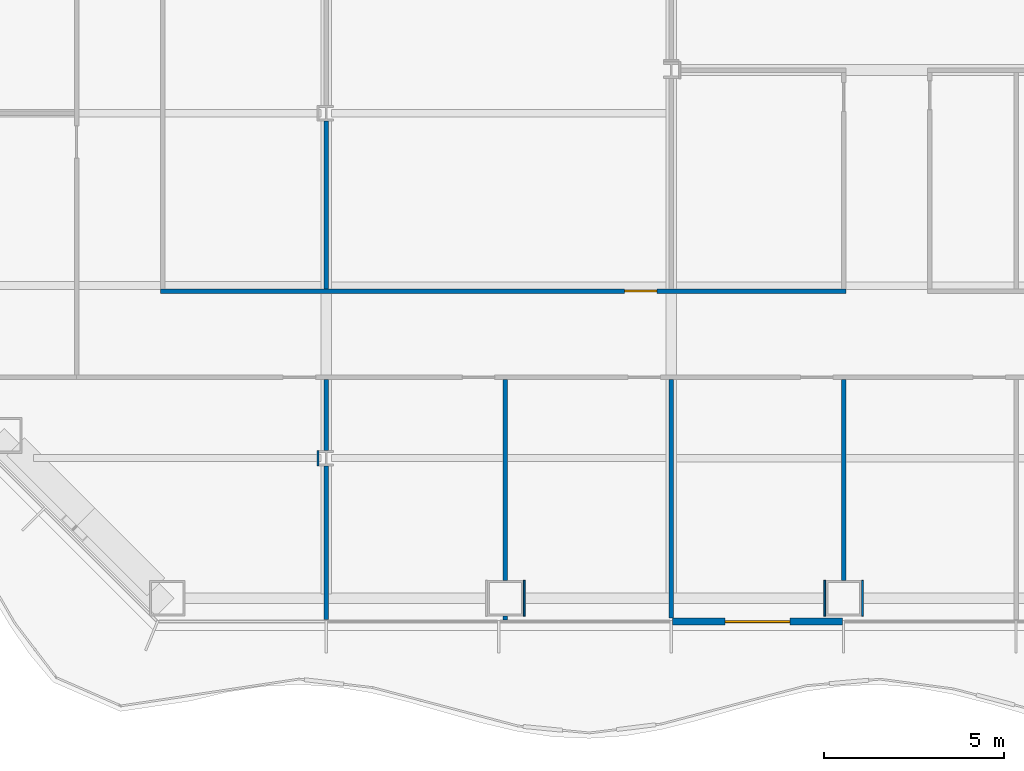
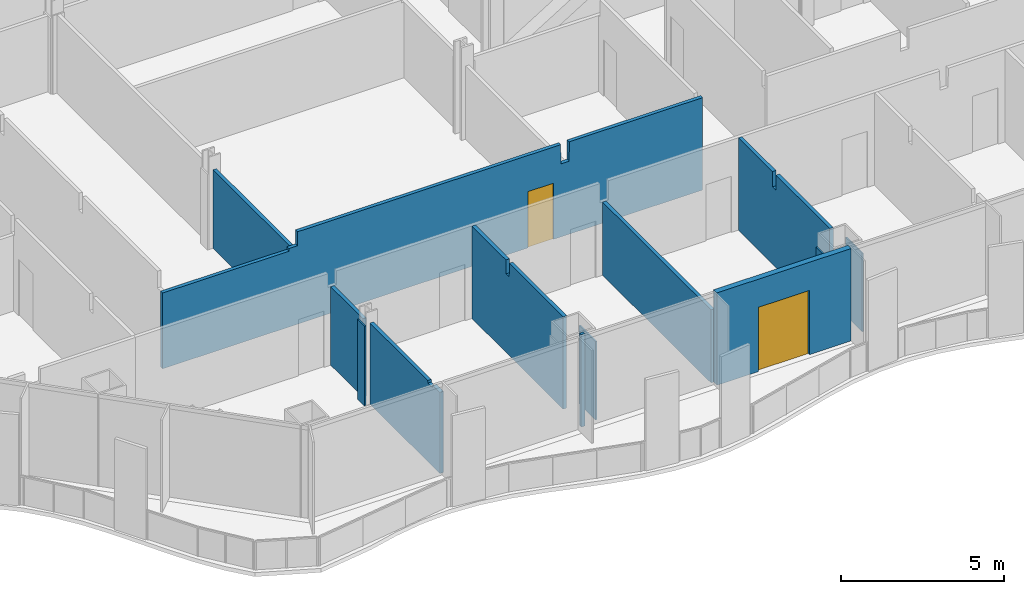
# One storey, part 6 of 21: 13 walls, 2 doors, 2 openings.
"""IFC4 building model written with IfcOpenShell, lengths in metres."""

from ifc_helpers import new_model, si_unit, direction, frame, frame_2d, origin, place, context, subcontext, project, spatial, polyline, rectangle, outline, extrude, material, layer, layer_set, type_object, element, fill, save


model = new_model("IFC4")

# Units and contexts
model_context = context("Model", 3, precision=1e-05, world=origin(), true_north=direction((0.0, 1.0)))
body_context = subcontext(model_context, "Body", "Model", "MODEL_VIEW")
ifc_project = project(units=[si_unit("LENGTHUNIT", "METRE"), si_unit("AREAUNIT", "SQUARE_METRE"), si_unit("VOLUMEUNIT", "CUBIC_METRE"), si_unit("PLANEANGLEUNIT", "RADIAN"), si_unit("MASSUNIT", "GRAM", prefix="KILO")], contexts=[model_context])

# Site, building, storey
site_placement = place(None, origin())
site = spatial("IfcSite", under=ifc_project, at=site_placement, CompositionType="ELEMENT")
building_placement = place(site_placement, origin())
building = spatial("IfcBuilding", under=site, at=building_placement, Name="Cairn Pilgrim Tower", CompositionType="ELEMENT")
storey_placement = place(building_placement, frame((0.0, 0.0, 58.199951171875)))
storey = spatial("IfcBuildingStorey", under=building, at=storey_placement, Name="L12", CompositionType="ELEMENT", Elevation=58.199951171875)

# Wall, opening, door
ifc_material_1 = material(Name="Bronze anodised aluminium insulated sandwich panel with mineral wool fill", Category="aluminium")
ifc_layer_1 = layer(ifc_material_1, 0.199951171875)
ifc_layer_set_1 = layer_set([ifc_layer_1], Name="BRONZE INFILL FRAME WALL 200")
wall_type_1 = type_object("IfcWallType", Name="BRONZE INFILL FRAME WALL 200", PredefinedType="NOTDEFINED", material=ifc_layer_set_1)
wall_1_placement = place(storey_placement, frame((-4.77001953125, -23.75, 0.0), z_axis=(0.0, 0.0, 1.0), x_axis=(1.0, 0.0, 0.0)))
wall_1 = element("IfcWall", 1, at=wall_1_placement, inside=storey, type_object=wall_type_1, Name="Bronze infill frame wall IW-S4", PredefinedType="NOTDEFINED", context=body_context, shape_type="SweptSolid", body=[
    extrude(rectangle(XDim=4.739990234375, YDim=0.199951171875, at=frame_2d((2.3701171875, 0.0))), origin(), (0.0, 0.0, 1.0), 3.449951171875),
])
opening_1_placement = place(wall_1_placement, frame((1.469970703125, 0.0, 0.0)))
opening_1 = element("IfcOpeningElement", 2, at=opening_1_placement, cuts=wall_1, Name="Opening 1204B", PredefinedType="OPENING", context=body_context, shape_type="SweptSolid", body=[
    extrude(rectangle(XDim=1.800048828125, YDim=2.39990234375, at=frame_2d((0.89990234375, 1.199951171875))), frame((0.0, 0.10986328125, 0.0), z_axis=(0.0, -1.0, 0.0), x_axis=(1.0, 0.0, 0.0)), (0.0, 0.0, 1.0), 0.219970703125),
])
ifc_material_2 = material(Name="Bronze anodised aluminium frame with tinted low-E glass", Category="aluminium")
door_type_1 = type_object("IfcDoorType", Name="BALCONY SLIDING DOOR 1800x2400", OperationType="DOUBLE_DOOR_SLIDING", PredefinedType="DOOR", material=ifc_material_2)
door_1_placement = place(opening_1_placement, origin())
door_1 = element("IfcDoor", 3, at=door_1_placement, inside=storey, type_object=door_type_1, Name="Balcony sliding door 1204B", OperationType="SINGLE_SWING_LEFT", OverallHeight=2.39990234375, OverallWidth=1.800048828125, PredefinedType="DOOR", context=body_context, shape_type="SweptSolid", body=[
    extrude(rectangle(XDim=1.800048828125, YDim=2.39990234375, at=frame_2d((0.89990234375, 1.199951171875))), frame((0.0, 0.02490234375, 0.0), z_axis=(0.0, -1.0, 0.0), x_axis=(1.0, 0.0, 0.0)), (0.0, 0.0, 1.0), 0.050048828125),
])
fill(opening_1, door_1)

# Walls
ifc_material_3 = material(Name="Gypsum partition")
ifc_layer_2 = layer(ifc_material_3, 0.125)
ifc_layer_set_2 = layer_set([ifc_layer_2], Name="PARTITION 125 DRYWALL EI 60")
wall_type_2 = type_object("IfcWallType", Name="PARTITION 125 DRYWALL EI 60", PredefinedType="PARTITIONING", material=ifc_layer_set_2)
wall_2_placement = place(storey_placement, frame((-14.39990234375, -23.68994140625, 0.0), z_axis=(0.0, 0.0, 1.0), x_axis=(0.0, 1.0, 0.0)))
element("IfcWall", 4, at=wall_2_placement, inside=storey, type_object=wall_type_2, Name="PARTITION W001", PredefinedType="PARTITIONING", context=body_context, shape_type="SweptSolid", body=[
    extrude(outline(polyline([(0.0, 0.0), (4.27734375, 0.0), (4.277587890625, 3.030029296875), (0.739990234375, 3.030029296875), (0.738037109375, 2.929931640625), (0.43994140625, 2.929931640625), (0.43798828125, 3.030029296875), (0.0, 3.030029296875), (0.0, 0.0)])), frame((0.0, 0.0625, 0.0), z_axis=(0.0, -1.0, 0.0), x_axis=(1.0, 0.0, 0.0)), (0.0, 0.0, 1.0), 0.125),
])
wall_3_placement = place(storey_placement, frame((-9.4140625, -23.702880859375, 0.0), z_axis=(0.0, 0.0, 1.0), x_axis=(0.0, 1.0, 0.0)))
element("IfcWall", 5, at=wall_3_placement, inside=storey, type_object=wall_type_2, Name="PARTITION W002", PredefinedType="PARTITIONING", context=body_context, shape_type="SweptSolid", body=[
    extrude(rectangle(XDim=0.102783203125, YDim=0.125, at=frame_2d((0.05126953125, 0.0))), origin(), (0.0, 0.0, 1.0), 3.449951171875),
])
wall_4_placement = place(storey_placement, frame((-4.800048828125, -23.64990234375, 0.0), z_axis=(0.0, 0.0, 1.0), x_axis=(0.0, 1.0, 0.0)))
element("IfcWall", 6, at=wall_4_placement, inside=storey, type_object=wall_type_2, Name="PARTITION W003", PredefinedType="PARTITIONING", context=body_context, shape_type="SweptSolid", body=[
    extrude(rectangle(XDim=6.637451171875, YDim=0.125, at=frame_2d((3.31884765625, 0.0))), origin(), (0.0, 0.0, 1.0), 2.72998046875),
])
wall_5_placement = place(storey_placement, frame((-9.4140625, -22.60009765625, 0.0), z_axis=(0.0, 0.0, 1.0), x_axis=(0.0, 1.0, 0.0)))
element("IfcWall", 7, at=wall_5_placement, inside=storey, type_object=wall_type_2, Name="PARTITION W007", PredefinedType="PARTITIONING", context=body_context, shape_type="SweptSolid", body=[
    extrude(outline(polyline([(0.0, 0.0), (5.587646484375, 0.0), (5.58740234375, 3.449951171875), (3.5, 3.449951171875), (3.498046875, 2.929931640625), (3.300048828125, 2.929931640625), (3.298095703125, 3.449951171875), (0.0, 3.449951171875), (0.0, 0.0)])), frame((0.0, 0.0625, 0.0), z_axis=(0.0, -1.0, 0.0), x_axis=(1.0, 0.0, 0.0)), (0.0, 0.0, 1.0), 0.125),
])
wall_6_placement = place(storey_placement, frame((0.0, -22.60009765625, 0.0), z_axis=(0.0, 0.0, 1.0), x_axis=(0.0, 1.0, 0.0)))
element("IfcWall", 8, at=wall_6_placement, inside=storey, type_object=wall_type_2, Name="PARTITION W008", PredefinedType="PARTITIONING", context=body_context, shape_type="SweptSolid", body=[
    extrude(outline(polyline([(0.0, 0.0), (5.587646484375, 0.0), (5.58740234375, 3.449951171875), (3.5048828125, 3.449951171875), (3.5029296875, 2.880126953125), (3.294921875, 2.880126953125), (3.29296875, 3.449951171875), (0.0, 3.449951171875), (0.0, 0.0)])), frame((0.0, 0.0625, 0.0), z_axis=(0.0, -1.0, 0.0), x_axis=(1.0, 0.0, 0.0)), (0.0, 0.0, 1.0), 0.125),
])
wall_7_placement = place(storey_placement, frame((-14.39990234375, -18.987548828125, 0.0), z_axis=(0.0, 0.0, 1.0), x_axis=(0.0, 1.0, 0.0)))
element("IfcWall", 9, at=wall_7_placement, inside=storey, type_object=wall_type_2, Name="PARTITION W011", PredefinedType="PARTITIONING", context=body_context, shape_type="SweptSolid", body=[
    extrude(rectangle(XDim=1.97509765625, YDim=0.125, at=frame_2d((0.987548828125, 0.0))), origin(), (0.0, 0.0, 1.0), 2.929931640625),
])

# Wall, opening, door
wall_8_placement = place(storey_placement, frame((-19.012451171875, -14.550048828125, 0.0), z_axis=(0.0, 0.0, 1.0), x_axis=(1.0, 0.0, 0.0)))
wall_8 = element("IfcWall", 10, at=wall_8_placement, inside=storey, type_object=wall_type_2, Name="PARTITION W016", PredefinedType="PARTITIONING", context=body_context, shape_type="SweptSolid", body=[
    extrude(outline(polyline([(0.0, 0.0), (19.074951171875, 0.0), (19.074951171875, 3.449951171875), (14.362548828125, 3.449951171875), (14.360595703125, 2.72998046875), (14.0625, 2.72998046875), (14.060546875, 3.449951171875), (4.762451171875, 3.449951171875), (4.760498046875, 2.929931640625), (4.46240234375, 2.929931640625), (4.46044921875, 2.830078125), (0.0, 2.830078125), (0.0, 0.0)])), frame((0.0, 0.0625, 0.0), z_axis=(0.0, -1.0, 0.0), x_axis=(1.0, 0.0, 0.0)), (0.0, 0.0, 1.0), 0.125),
])
opening_2_placement = place(wall_8_placement, frame((12.91259765625, 0.0, 0.0)))
opening_2 = element("IfcOpeningElement", 11, at=opening_2_placement, cuts=wall_8, Name="Opening 1228", PredefinedType="OPENING", context=body_context, shape_type="SweptSolid", body=[
    extrude(rectangle(XDim=0.89990234375, YDim=2.10009765625, at=frame_2d((0.449951171875, 1.050048828125))), frame((0.0, 0.072509765625, 0.0), z_axis=(0.0, -1.0, 0.0), x_axis=(1.0, 0.0, 0.0)), (0.0, 0.0, 1.0), 0.14501953125),
])
ifc_material_4 = material(Name="Steel-faced fire door leaf", Category="steel")
door_type_2 = type_object("IfcDoorType", Name="FIRE DOOR 900x2100 FD30S", OperationType="NOTDEFINED", PredefinedType="DOOR", material=ifc_material_4)
door_2_placement = place(opening_2_placement, origin())
door_2 = element("IfcDoor", 12, at=door_2_placement, inside=storey, type_object=door_type_2, Name="DOOR 1228", OperationType="SINGLE_SWING_LEFT", OverallHeight=2.10009765625, OverallWidth=0.89990234375, PredefinedType="DOOR", context=body_context, shape_type="SweptSolid", body=[
    extrude(rectangle(XDim=0.89990234375, YDim=2.10009765625, at=frame_2d((0.449951171875, 1.050048828125))), frame((0.0, 0.02490234375, 0.0), z_axis=(0.0, -1.0, 0.0), x_axis=(1.0, 0.0, 0.0)), (0.0, 0.0, 1.0), 0.050048828125),
])
fill(opening_2, door_2)

# Walls
wall_9_placement = place(storey_placement, frame((-14.39990234375, -14.487548828125, 0.0), z_axis=(0.0, 0.0, 1.0), x_axis=(0.0, 1.0, 0.0)))
element("IfcWall", 13, at=wall_9_placement, inside=storey, type_object=wall_type_2, Name="PARTITION W019", PredefinedType="PARTITIONING", context=body_context, shape_type="SweptSolid", body=[
    extrude(rectangle(XDim=4.675048828125, YDim=0.125, at=frame_2d((2.33740234375, 0.0))), origin(), (0.0, 0.0, 1.0), 2.929931640625),
])
ifc_layer_3 = layer(ifc_material_3, 0.050048828125)
ifc_layer_set_3 = layer_set([ifc_layer_3], Name="PARTITION 50 DRYWALL EI 60")
wall_type_3 = type_object("IfcWallType", Name="PARTITION 50 DRYWALL EI 60", PredefinedType="PARTITIONING", material=ifc_layer_set_3)
wall_10_placement = place(storey_placement, frame((-14.62939453125, -19.41259765625, 0.0), z_axis=(0.0, 0.0, 1.0), x_axis=(0.0, 1.0, 0.0)))
element("IfcWall", 14, at=wall_10_placement, inside=storey, type_object=wall_type_3, Name="COLUMN CASING WC01", PredefinedType="PARTITIONING", context=body_context, shape_type="SweptSolid", body=[
    extrude(rectangle(XDim=0.425048828125, YDim=0.050048828125, at=frame_2d((0.21240234375, 0.0))), origin(), (0.0, 0.0, 1.0), 2.97998046875),
])
for number, where, z_axis, x_axis, name in (
    (15, (-8.888671875, -23.60009765625, 0.0), (0.0, 0.0, 1.0), (0.0, 1.0, 0.0), "COLUMN CASING WC03"),
    (16, (-0.52490234375, -23.60009765625, 0.0), (0.0, 0.0, 1.0), (0.0, 1.0, 0.0), "COLUMN CASING WC04"),
    (17, (0.52490234375, -23.60009765625, 0.0), (0.0, 0.0, 1.0), (0.0, 1.0, 0.0), "COLUMN CASING WC05"),
):
    element("IfcWall", number, at=place(storey_placement, frame(where, z_axis=z_axis, x_axis=x_axis)), inside=storey, type_object=wall_type_3, Name=name, PredefinedType="PARTITIONING", context=body_context, shape_type="SweptSolid", body=[
        extrude(rectangle(XDim=1.0, YDim=0.050048828125, at=frame_2d((0.5, 0.0))), origin(), (0.0, 0.0, 1.0), 2.929931640625),
    ])

save(model, "model.ifc")
